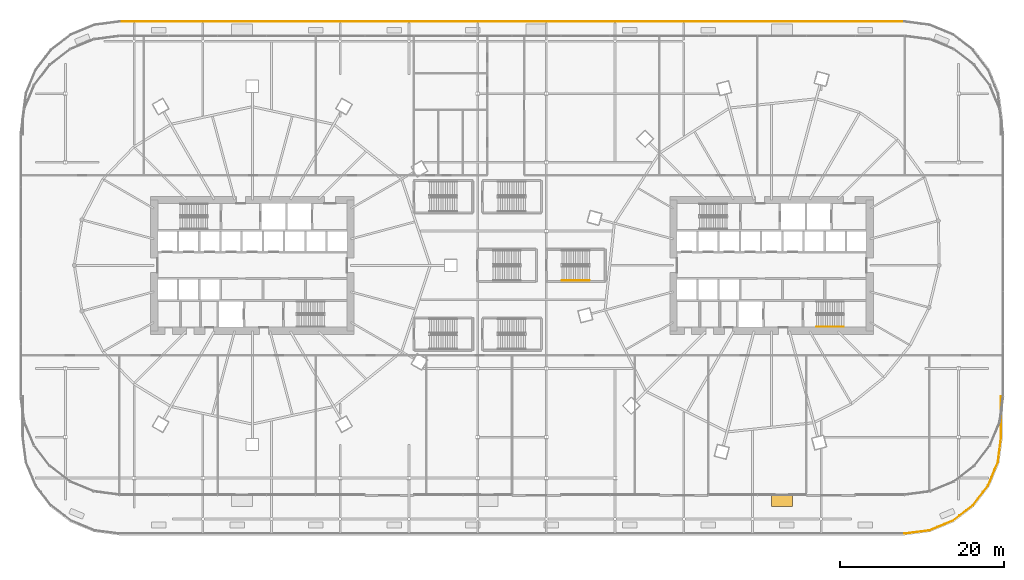
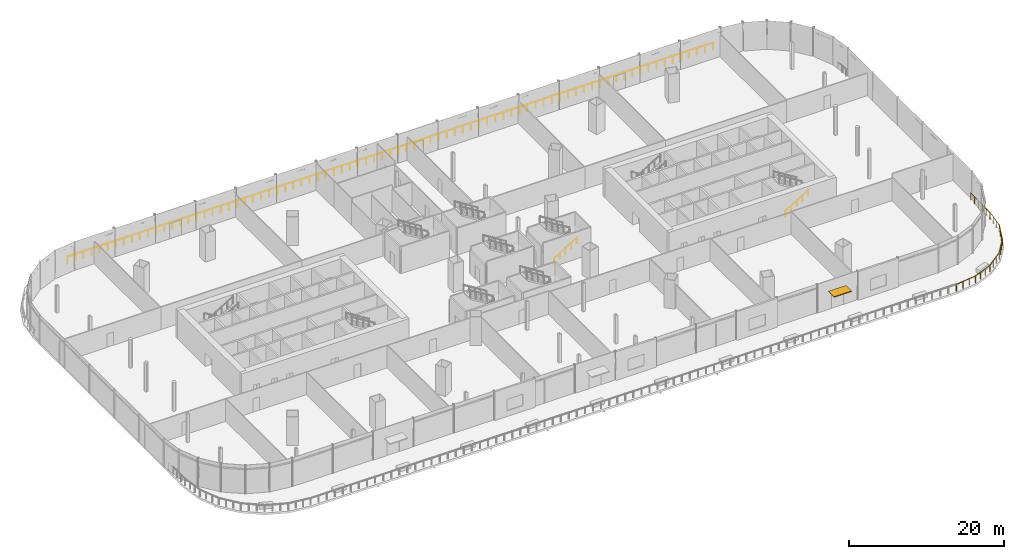
# One storey, part 48 of 52: 4 railings, 1 shading device.
"""IFC4 building model written with IfcOpenShell, lengths in metres."""

from ifc_helpers import new_model, si_unit, direction, frame, origin, origin_2d, place, context, subcontext, project, spatial, rectangle, circle, extrude, material, layer, layer_set, type_object, element, save


model = new_model("IFC4")

# Units and contexts
model_context = context("Model", 3, precision=1e-05, world=origin(), true_north=direction((0.0, 1.0)))
body_context = subcontext(model_context, "Body", "Model", "MODEL_VIEW")
ifc_project = project(units=[si_unit("LENGTHUNIT", "METRE"), si_unit("AREAUNIT", "SQUARE_METRE"), si_unit("VOLUMEUNIT", "CUBIC_METRE"), si_unit("PLANEANGLEUNIT", "RADIAN"), si_unit("MASSUNIT", "GRAM", prefix="KILO")], contexts=[model_context])

# Site, building, storey
site_placement = place(None, origin())
site = spatial("IfcSite", under=ifc_project, at=site_placement, CompositionType="ELEMENT")
building_placement = place(site_placement, origin())
building = spatial("IfcBuilding", under=site, at=building_placement, Name="Rimbun Link Towers", CompositionType="ELEMENT")
storey_placement = place(building_placement, frame((0.0, 0.0, 21.0)))
storey = spatial("IfcBuildingStorey", under=building, at=storey_placement, Name="L04", CompositionType="ELEMENT", Elevation=21.0)

# Railings
ifc_material_1 = material(Name="Toughened laminated glass, stainless steel grade 316 posts and cap rail", Category="steel")
railing_type_1 = type_object("IfcRailingType", Name="GUARD glass balustrade with stainless cap rail", PredefinedType="BALUSTRADE", material=ifc_material_1)
railing_1_placement = place(storey_placement, frame((47.98681640625, -32.800048828125, 0.0)))
element("IfcRailing", 1, at=railing_1_placement, inside=storey, type_object=railing_type_1, Name="GUARD glass balustrade", PredefinedType="BALUSTRADE", context=body_context, shape_type="SweptSolid", body=[
    extrude(circle(Radius=0.02392578125, at=origin_2d()), frame((0.0, 0.0, 1.076171875), z_axis=(0.991443009305, 0.130540259305, 0.0), x_axis=(-0.130540259305, 0.991443009305, 0.0)), (0.0, 0.0, 1.0), 3.09326171875),
    extrude(circle(Radius=0.02392578125, at=origin_2d()), frame((3.06689453125, 0.40380859375, 1.076171875), z_axis=(0.92386997747, 0.382706499462, 0.0), x_axis=(-0.382706499462, 0.92386997747, 0.0)), (0.0, 0.0, 1.0), 3.079833984375),
    extrude(circle(Radius=0.02392578125, at=origin_2d()), frame((5.912353515625, 1.58251953125, 1.076171875), z_axis=(0.793398353015, 0.608702762794, 0.0), x_axis=(-0.608702762794, 0.793398353015, 0.0)), (0.0, 0.0, 1.0), 3.079833984375),
    extrude(circle(Radius=0.02392578125, at=origin_2d()), frame((8.35595703125, 3.457275390625, 1.076171875), z_axis=(0.608702762794, 0.793398353015, 0.0), x_axis=(-0.793398353015, 0.608702762794, 0.0)), (0.0, 0.0, 1.0), 3.079833984375),
    extrude(circle(Radius=0.02392578125, at=origin_2d()), frame((10.230712890625, 5.90087890625, 1.076171875), z_axis=(0.382706499462, 0.92386997747, 0.0), x_axis=(-0.92386997747, 0.382706499462, 0.0)), (0.0, 0.0, 1.0), 3.079833984375),
    extrude(circle(Radius=0.02392578125, at=origin_2d()), frame((11.409423828125, 8.746337890625, 1.076171875), z_axis=(0.130540259305, 0.991443009305, 0.0), x_axis=(-0.991443009305, 0.130540259305, 0.0)), (0.0, 0.0, 1.0), 3.09326171875),
    extrude(circle(Radius=0.02392578125, at=origin_2d()), frame((11.813232421875, 11.813232421875, 1.076171875), z_axis=(0.0, 1.0, 0.0), x_axis=(-1.0, 0.0, 0.0)), (0.0, 0.0, 1.0), 4.98681640625),
    extrude(circle(Radius=0.02099609375, at=origin_2d()), origin(), (0.0, 0.0, 1.0), 1.052001953125),
    extrude(circle(Radius=0.02099609375, at=origin_2d()), frame((1.022216796875, 0.134521484375, 0.0)), (0.0, 0.0, 1.0), 1.052001953125),
    extrude(circle(Radius=0.02099609375, at=origin_2d()), frame((2.044677734375, 0.269287109375, 0.0)), (0.0, 0.0, 1.0), 1.052001953125),
    extrude(circle(Radius=0.02099609375, at=origin_2d()), frame((3.06689453125, 0.40380859375, 0.0)), (0.0, 0.0, 1.0), 1.052001953125),
    extrude(circle(Radius=0.02099609375, at=origin_2d()), frame((4.015380859375, 0.796630859375, 0.0)), (0.0, 0.0, 1.0), 1.052001953125),
    extrude(circle(Radius=0.02099609375, at=origin_2d()), frame((4.9638671875, 1.189697265625, 0.0)), (0.0, 0.0, 1.0), 1.052001953125),
    extrude(circle(Radius=0.02099609375, at=origin_2d()), frame((5.912353515625, 1.58251953125, 0.0)), (0.0, 0.0, 1.0), 1.052001953125),
    extrude(circle(Radius=0.02099609375, at=origin_2d()), frame((6.726806640625, 2.20751953125, 0.0)), (0.0, 0.0, 1.0), 1.052001953125),
    extrude(circle(Radius=0.02099609375, at=origin_2d()), frame((7.54150390625, 2.832275390625, 0.0)), (0.0, 0.0, 1.0), 1.052001953125),
    extrude(circle(Radius=0.02099609375, at=origin_2d()), frame((8.35595703125, 3.457275390625, 0.0)), (0.0, 0.0, 1.0), 1.052001953125),
    extrude(circle(Radius=0.02099609375, at=origin_2d()), frame((8.98095703125, 4.271728515625, 0.0)), (0.0, 0.0, 1.0), 1.052001953125),
    extrude(circle(Radius=0.02099609375, at=origin_2d()), frame((9.605712890625, 5.08642578125, 0.0)), (0.0, 0.0, 1.0), 1.052001953125),
    extrude(circle(Radius=0.02099609375, at=origin_2d()), frame((10.230712890625, 5.90087890625, 0.0)), (0.0, 0.0, 1.0), 1.052001953125),
    extrude(circle(Radius=0.02099609375, at=origin_2d()), frame((10.62353515625, 6.849365234375, 0.0)), (0.0, 0.0, 1.0), 1.052001953125),
    extrude(circle(Radius=0.02099609375, at=origin_2d()), frame((11.0166015625, 7.7978515625, 0.0)), (0.0, 0.0, 1.0), 1.052001953125),
    extrude(circle(Radius=0.02099609375, at=origin_2d()), frame((11.409423828125, 8.746337890625, 0.0)), (0.0, 0.0, 1.0), 1.052001953125),
    extrude(circle(Radius=0.02099609375, at=origin_2d()), frame((11.5439453125, 9.7685546875, 0.0)), (0.0, 0.0, 1.0), 1.052001953125),
    extrude(circle(Radius=0.02099609375, at=origin_2d()), frame((11.6787109375, 10.791015625, 0.0)), (0.0, 0.0, 1.0), 1.052001953125),
    extrude(circle(Radius=0.02099609375, at=origin_2d()), frame((11.813232421875, 11.813232421875, 0.0)), (0.0, 0.0, 1.0), 1.052001953125),
    extrude(circle(Radius=0.02099609375, at=origin_2d()), frame((11.813232421875, 12.810546875, 0.0)), (0.0, 0.0, 1.0), 1.052001953125),
    extrude(circle(Radius=0.02099609375, at=origin_2d()), frame((11.813232421875, 13.807861328125, 0.0)), (0.0, 0.0, 1.0), 1.052001953125),
    extrude(circle(Radius=0.02099609375, at=origin_2d()), frame((11.813232421875, 14.805419921875, 0.0)), (0.0, 0.0, 1.0), 1.052001953125),
    extrude(circle(Radius=0.02099609375, at=origin_2d()), frame((11.813232421875, 15.802734375, 0.0)), (0.0, 0.0, 1.0), 1.052001953125),
    extrude(circle(Radius=0.02099609375, at=origin_2d()), frame((11.813232421875, 16.800048828125, 0.0)), (0.0, 0.0, 1.0), 1.052001953125),
])
railing_2_placement = place(storey_placement, frame((47.98681640625, 29.800048828125, 0.0)))
element("IfcRailing", 2, at=railing_2_placement, inside=storey, type_object=railing_type_1, Name="GUARD glass balustrade", PredefinedType="BALUSTRADE", context=body_context, shape_type="SweptSolid", body=[
    extrude(circle(Radius=0.02392578125, at=origin_2d()), frame((0.0, 0.0, 1.076171875), z_axis=(-1.0, 0.0, 0.0), x_axis=(0.0, -1.0, 0.0)), (0.0, 0.0, 1.0), 95.9736328125),
    extrude(circle(Radius=0.02099609375, at=origin_2d()), origin(), (0.0, 0.0, 1.0), 1.052001953125),
    extrude(circle(Radius=0.02099609375, at=origin_2d()), frame((-1.19970703125, 0.0, 0.0)), (0.0, 0.0, 1.0), 1.052001953125),
    extrude(circle(Radius=0.02099609375, at=origin_2d()), frame((-2.3994140625, 0.0, 0.0)), (0.0, 0.0, 1.0), 1.052001953125),
    extrude(circle(Radius=0.02099609375, at=origin_2d()), frame((-3.59912109375, 0.0, 0.0)), (0.0, 0.0, 1.0), 1.052001953125),
    extrude(circle(Radius=0.02099609375, at=origin_2d()), frame((-4.798583984375, 0.0, 0.0)), (0.0, 0.0, 1.0), 1.052001953125),
    extrude(circle(Radius=0.02099609375, at=origin_2d()), frame((-5.998291015625, 0.0, 0.0)), (0.0, 0.0, 1.0), 1.052001953125),
    extrude(circle(Radius=0.02099609375, at=origin_2d()), frame((-7.197998046875, 0.0, 0.0)), (0.0, 0.0, 1.0), 1.052001953125),
    extrude(circle(Radius=0.02099609375, at=origin_2d()), frame((-8.397705078125, 0.0, 0.0)), (0.0, 0.0, 1.0), 1.052001953125),
    extrude(circle(Radius=0.02099609375, at=origin_2d()), frame((-9.597412109375, 0.0, 0.0)), (0.0, 0.0, 1.0), 1.052001953125),
    extrude(circle(Radius=0.02099609375, at=origin_2d()), frame((-10.797119140625, 0.0, 0.0)), (0.0, 0.0, 1.0), 1.052001953125),
    extrude(circle(Radius=0.02099609375, at=origin_2d()), frame((-11.99658203125, 0.0, 0.0)), (0.0, 0.0, 1.0), 1.052001953125),
    extrude(circle(Radius=0.02099609375, at=origin_2d()), frame((-13.1962890625, 0.0, 0.0)), (0.0, 0.0, 1.0), 1.052001953125),
    extrude(circle(Radius=0.02099609375, at=origin_2d()), frame((-14.39599609375, 0.0, 0.0)), (0.0, 0.0, 1.0), 1.052001953125),
    extrude(circle(Radius=0.02099609375, at=origin_2d()), frame((-15.595703125, 0.0, 0.0)), (0.0, 0.0, 1.0), 1.052001953125),
    extrude(circle(Radius=0.02099609375, at=origin_2d()), frame((-16.79541015625, 0.0, 0.0)), (0.0, 0.0, 1.0), 1.052001953125),
    extrude(circle(Radius=0.02099609375, at=origin_2d()), frame((-17.9951171875, 0.0, 0.0)), (0.0, 0.0, 1.0), 1.052001953125),
    extrude(circle(Radius=0.02099609375, at=origin_2d()), frame((-19.19482421875, 0.0, 0.0)), (0.0, 0.0, 1.0), 1.052001953125),
    extrude(circle(Radius=0.02099609375, at=origin_2d()), frame((-20.394287109375, 0.0, 0.0)), (0.0, 0.0, 1.0), 1.052001953125),
    extrude(circle(Radius=0.02099609375, at=origin_2d()), frame((-21.593994140625, 0.0, 0.0)), (0.0, 0.0, 1.0), 1.052001953125),
    extrude(circle(Radius=0.02099609375, at=origin_2d()), frame((-22.793701171875, 0.0, 0.0)), (0.0, 0.0, 1.0), 1.052001953125),
    extrude(circle(Radius=0.02099609375, at=origin_2d()), frame((-23.993408203125, 0.0, 0.0)), (0.0, 0.0, 1.0), 1.052001953125),
    extrude(circle(Radius=0.02099609375, at=origin_2d()), frame((-25.193115234375, 0.0, 0.0)), (0.0, 0.0, 1.0), 1.052001953125),
    extrude(circle(Radius=0.02099609375, at=origin_2d()), frame((-26.392822265625, 0.0, 0.0)), (0.0, 0.0, 1.0), 1.052001953125),
    extrude(circle(Radius=0.02099609375, at=origin_2d()), frame((-27.592529296875, 0.0, 0.0)), (0.0, 0.0, 1.0), 1.052001953125),
    extrude(circle(Radius=0.02099609375, at=origin_2d()), frame((-28.7919921875, 0.0, 0.0)), (0.0, 0.0, 1.0), 1.052001953125),
    extrude(circle(Radius=0.02099609375, at=origin_2d()), frame((-29.99169921875, 0.0, 0.0)), (0.0, 0.0, 1.0), 1.052001953125),
    extrude(circle(Radius=0.02099609375, at=origin_2d()), frame((-31.19140625, 0.0, 0.0)), (0.0, 0.0, 1.0), 1.052001953125),
    extrude(circle(Radius=0.02099609375, at=origin_2d()), frame((-32.39111328125, 0.0, 0.0)), (0.0, 0.0, 1.0), 1.052001953125),
    extrude(circle(Radius=0.02099609375, at=origin_2d()), frame((-33.5908203125, 0.0, 0.0)), (0.0, 0.0, 1.0), 1.052001953125),
    extrude(circle(Radius=0.02099609375, at=origin_2d()), frame((-34.79052734375, 0.0, 0.0)), (0.0, 0.0, 1.0), 1.052001953125),
    extrude(circle(Radius=0.02099609375, at=origin_2d()), frame((-35.990234375, 0.0, 0.0)), (0.0, 0.0, 1.0), 1.052001953125),
    extrude(circle(Radius=0.02099609375, at=origin_2d()), frame((-37.189697265625, 0.0, 0.0)), (0.0, 0.0, 1.0), 1.052001953125),
    extrude(circle(Radius=0.02099609375, at=origin_2d()), frame((-38.389404296875, 0.0, 0.0)), (0.0, 0.0, 1.0), 1.052001953125),
    extrude(circle(Radius=0.02099609375, at=origin_2d()), frame((-39.589111328125, 0.0, 0.0)), (0.0, 0.0, 1.0), 1.052001953125),
    extrude(circle(Radius=0.02099609375, at=origin_2d()), frame((-40.788818359375, 0.0, 0.0)), (0.0, 0.0, 1.0), 1.052001953125),
    extrude(circle(Radius=0.02099609375, at=origin_2d()), frame((-41.988525390625, 0.0, 0.0)), (0.0, 0.0, 1.0), 1.052001953125),
    extrude(circle(Radius=0.02099609375, at=origin_2d()), frame((-43.188232421875, 0.0, 0.0)), (0.0, 0.0, 1.0), 1.052001953125),
    extrude(circle(Radius=0.02099609375, at=origin_2d()), frame((-44.3876953125, 0.0, 0.0)), (0.0, 0.0, 1.0), 1.052001953125),
    extrude(circle(Radius=0.02099609375, at=origin_2d()), frame((-45.58740234375, 0.0, 0.0)), (0.0, 0.0, 1.0), 1.052001953125),
    extrude(circle(Radius=0.02099609375, at=origin_2d()), frame((-46.787109375, 0.0, 0.0)), (0.0, 0.0, 1.0), 1.052001953125),
    extrude(circle(Radius=0.02099609375, at=origin_2d()), frame((-47.98681640625, 0.0, 0.0)), (0.0, 0.0, 1.0), 1.052001953125),
    extrude(circle(Radius=0.02099609375, at=origin_2d()), frame((-49.1865234375, 0.0, 0.0)), (0.0, 0.0, 1.0), 1.052001953125),
    extrude(circle(Radius=0.02099609375, at=origin_2d()), frame((-50.38623046875, 0.0, 0.0)), (0.0, 0.0, 1.0), 1.052001953125),
    extrude(circle(Radius=0.02099609375, at=origin_2d()), frame((-51.5859375, 0.0, 0.0)), (0.0, 0.0, 1.0), 1.052001953125),
    extrude(circle(Radius=0.02099609375, at=origin_2d()), frame((-52.785400390625, 0.0, 0.0)), (0.0, 0.0, 1.0), 1.052001953125),
    extrude(circle(Radius=0.02099609375, at=origin_2d()), frame((-53.985107421875, 0.0, 0.0)), (0.0, 0.0, 1.0), 1.052001953125),
    extrude(circle(Radius=0.02099609375, at=origin_2d()), frame((-55.184814453125, 0.0, 0.0)), (0.0, 0.0, 1.0), 1.052001953125),
    extrude(circle(Radius=0.02099609375, at=origin_2d()), frame((-56.384521484375, 0.0, 0.0)), (0.0, 0.0, 1.0), 1.052001953125),
    extrude(circle(Radius=0.02099609375, at=origin_2d()), frame((-57.584228515625, 0.0, 0.0)), (0.0, 0.0, 1.0), 1.052001953125),
    extrude(circle(Radius=0.02099609375, at=origin_2d()), frame((-58.783935546875, 0.0, 0.0)), (0.0, 0.0, 1.0), 1.052001953125),
    extrude(circle(Radius=0.02099609375, at=origin_2d()), frame((-59.9833984375, 0.0, 0.0)), (0.0, 0.0, 1.0), 1.052001953125),
    extrude(circle(Radius=0.02099609375, at=origin_2d()), frame((-61.18310546875, 0.0, 0.0)), (0.0, 0.0, 1.0), 1.052001953125),
    extrude(circle(Radius=0.02099609375, at=origin_2d()), frame((-62.3828125, 0.0, 0.0)), (0.0, 0.0, 1.0), 1.052001953125),
    extrude(circle(Radius=0.02099609375, at=origin_2d()), frame((-63.58251953125, 0.0, 0.0)), (0.0, 0.0, 1.0), 1.052001953125),
    extrude(circle(Radius=0.02099609375, at=origin_2d()), frame((-64.7822265625, 0.0, 0.0)), (0.0, 0.0, 1.0), 1.052001953125),
    extrude(circle(Radius=0.02099609375, at=origin_2d()), frame((-65.98193359375, 0.0, 0.0)), (0.0, 0.0, 1.0), 1.052001953125),
    extrude(circle(Radius=0.02099609375, at=origin_2d()), frame((-67.181640625, 0.0, 0.0)), (0.0, 0.0, 1.0), 1.052001953125),
    extrude(circle(Radius=0.02099609375, at=origin_2d()), frame((-68.381103515625, 0.0, 0.0)), (0.0, 0.0, 1.0), 1.052001953125),
    extrude(circle(Radius=0.02099609375, at=origin_2d()), frame((-69.580810546875, 0.0, 0.0)), (0.0, 0.0, 1.0), 1.052001953125),
    extrude(circle(Radius=0.02099609375, at=origin_2d()), frame((-70.780517578125, 0.0, 0.0)), (0.0, 0.0, 1.0), 1.052001953125),
    extrude(circle(Radius=0.02099609375, at=origin_2d()), frame((-71.980224609375, 0.0, 0.0)), (0.0, 0.0, 1.0), 1.052001953125),
    extrude(circle(Radius=0.02099609375, at=origin_2d()), frame((-73.179931640625, 0.0, 0.0)), (0.0, 0.0, 1.0), 1.052001953125),
    extrude(circle(Radius=0.02099609375, at=origin_2d()), frame((-74.379638671875, 0.0, 0.0)), (0.0, 0.0, 1.0), 1.052001953125),
    extrude(circle(Radius=0.02099609375, at=origin_2d()), frame((-75.579345703125, 0.0, 0.0)), (0.0, 0.0, 1.0), 1.052001953125),
    extrude(circle(Radius=0.02099609375, at=origin_2d()), frame((-76.77880859375, 0.0, 0.0)), (0.0, 0.0, 1.0), 1.052001953125),
    extrude(circle(Radius=0.02099609375, at=origin_2d()), frame((-77.978515625, 0.0, 0.0)), (0.0, 0.0, 1.0), 1.052001953125),
    extrude(circle(Radius=0.02099609375, at=origin_2d()), frame((-79.17822265625, 0.0, 0.0)), (0.0, 0.0, 1.0), 1.052001953125),
    extrude(circle(Radius=0.02099609375, at=origin_2d()), frame((-80.3779296875, 0.0, 0.0)), (0.0, 0.0, 1.0), 1.052001953125),
    extrude(circle(Radius=0.02099609375, at=origin_2d()), frame((-81.57763671875, 0.0, 0.0)), (0.0, 0.0, 1.0), 1.052001953125),
    extrude(circle(Radius=0.02099609375, at=origin_2d()), frame((-82.77734375, 0.0, 0.0)), (0.0, 0.0, 1.0), 1.052001953125),
    extrude(circle(Radius=0.02099609375, at=origin_2d()), frame((-83.97705078125, 0.0, 0.0)), (0.0, 0.0, 1.0), 1.052001953125),
    extrude(circle(Radius=0.02099609375, at=origin_2d()), frame((-85.176513671875, 0.0, 0.0)), (0.0, 0.0, 1.0), 1.052001953125),
    extrude(circle(Radius=0.02099609375, at=origin_2d()), frame((-86.376220703125, 0.0, 0.0)), (0.0, 0.0, 1.0), 1.052001953125),
    extrude(circle(Radius=0.02099609375, at=origin_2d()), frame((-87.575927734375, 0.0, 0.0)), (0.0, 0.0, 1.0), 1.052001953125),
    extrude(circle(Radius=0.02099609375, at=origin_2d()), frame((-88.775634765625, 0.0, 0.0)), (0.0, 0.0, 1.0), 1.052001953125),
    extrude(circle(Radius=0.02099609375, at=origin_2d()), frame((-89.975341796875, 0.0, 0.0)), (0.0, 0.0, 1.0), 1.052001953125),
    extrude(circle(Radius=0.02099609375, at=origin_2d()), frame((-91.175048828125, 0.0, 0.0)), (0.0, 0.0, 1.0), 1.052001953125),
    extrude(circle(Radius=0.02099609375, at=origin_2d()), frame((-92.37451171875, 0.0, 0.0)), (0.0, 0.0, 1.0), 1.052001953125),
    extrude(circle(Radius=0.02099609375, at=origin_2d()), frame((-93.57421875, 0.0, 0.0)), (0.0, 0.0, 1.0), 1.052001953125),
    extrude(circle(Radius=0.02099609375, at=origin_2d()), frame((-94.77392578125, 0.0, 0.0)), (0.0, 0.0, 1.0), 1.052001953125),
    extrude(circle(Radius=0.02099609375, at=origin_2d()), frame((-95.9736328125, 0.0, 0.0)), (0.0, 0.0, 1.0), 1.052001953125),
])

# Shading device
ifc_material_2 = material(Name="Aluminium 6063-T6 louvre blades in a powder-coated aluminium frame", Category="aluminium")
ifc_layer = layer(ifc_material_2, 0.139892578125)
ifc_layer_set = layer_set([ifc_layer], Name="RAIN CANOPY louvre blades 2600X1400")
shading_device_type = type_object("IfcShadingDeviceType", Name="RAIN CANOPY louvre blades 2600X1400", PredefinedType="AWNING", material=ifc_layer_set)
shading_device_placement = place(storey_placement, frame((33.0, -28.800048828125, 2.7001953125), z_axis=(0.0, 0.0, 1.0), x_axis=(-1.0, 0.0, 0.0)))
element("IfcShadingDevice", 3, at=shading_device_placement, inside=storey, type_object=shading_device_type, Name="RAIN CANOPY over terrace door", PredefinedType="AWNING", context=body_context, shape_type="SweptSolid", body=[
    extrude(rectangle(XDim=2.60009765625, YDim=1.39990234375, at=origin_2d()), origin(), (0.0, 0.0, 1.0), 0.139892578125),
])

# Railings
ifc_material_3 = material(Name="Stainless steel grade 316", Category="steel")
railing_type_2 = type_object("IfcRailingType", Name="Stair handrail", PredefinedType="HANDRAIL", material=ifc_material_3)
railing_3_placement = place(storey_placement, frame((37.199951171875, -7.5, 0.173095703125)))
element("IfcRailing", 4, at=railing_3_placement, inside=storey, type_object=railing_type_2, Name="L04 ST4 stair handrail 1", PredefinedType="HANDRAIL", context=body_context, shape_type="SweptSolid", body=[
    extrude(circle(Radius=0.02392578125, at=origin_2d()), frame((0.0, 0.0, 0.8759765625), z_axis=(0.850623216509, 0.0, 0.525775754039), x_axis=(0.0, 1.0, 0.0)), (0.0, 0.0, 1.0), 3.9501953125),
    extrude(circle(Radius=0.02099609375, at=origin_2d()), origin(), (0.0, 0.0, 1.0), 0.851806640625),
    extrude(circle(Radius=0.02099609375, at=origin_2d()), frame((0.840087890625, 0.0, 0.519287109375)), (0.0, 0.0, 1.0), 0.851806640625),
    extrude(circle(Radius=0.02099609375, at=origin_2d()), frame((1.68017578125, 0.0, 1.03857421875)), (0.0, 0.0, 1.0), 0.851806640625),
    extrude(circle(Radius=0.02099609375, at=origin_2d()), frame((2.52001953125, 0.0, 1.5576171875)), (0.0, 0.0, 1.0), 0.851806640625),
    extrude(circle(Radius=0.02099609375, at=origin_2d()), frame((3.360107421875, 0.0, 2.076904296875)), (0.0, 0.0, 1.0), 0.851806640625),
])
railing_4_placement = place(storey_placement, frame((6.10009765625, -1.824951171875, 0.173095703125)))
element("IfcRailing", 5, at=railing_4_placement, inside=storey, type_object=railing_type_2, Name="L04 PS5 stair handrail 1", PredefinedType="HANDRAIL", context=body_context, shape_type="SweptSolid", body=[
    extrude(circle(Radius=0.02392578125, at=origin_2d()), frame((0.0, 0.0, 0.8759765625), z_axis=(0.850606129759, 0.0, 0.525803396734), x_axis=(0.0, 1.0, 0.0)), (0.0, 0.0, 1.0), 3.949951171875),
    extrude(circle(Radius=0.02099609375, at=origin_2d()), origin(), (0.0, 0.0, 1.0), 0.851806640625),
    extrude(circle(Radius=0.02099609375, at=origin_2d()), frame((0.83984375, 0.0, 0.519287109375)), (0.0, 0.0, 1.0), 0.851806640625),
    extrude(circle(Radius=0.02099609375, at=origin_2d()), frame((1.679931640625, 0.0, 1.03857421875)), (0.0, 0.0, 1.0), 0.851806640625),
    extrude(circle(Radius=0.02099609375, at=origin_2d()), frame((2.52001953125, 0.0, 1.5576171875)), (0.0, 0.0, 1.0), 0.851806640625),
    extrude(circle(Radius=0.02099609375, at=origin_2d()), frame((3.35986328125, 0.0, 2.076904296875)), (0.0, 0.0, 1.0), 0.851806640625),
])

save(model, "model.ifc")
